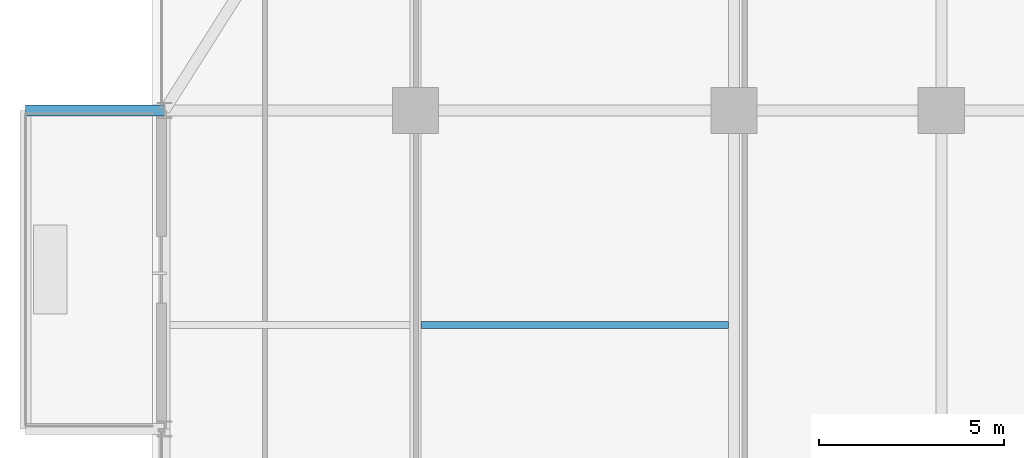
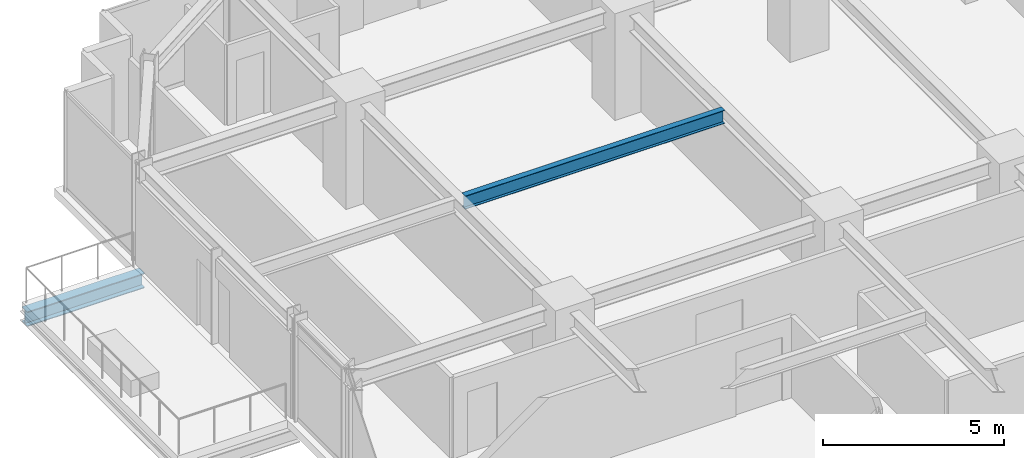
# One storey, part 17 of 35: 2 beams.
"""IFC4 building model written with IfcOpenShell, lengths in metres."""

from ifc_helpers import new_model, si_unit, direction, frame, origin, origin_2d, place, context, subcontext, project, spatial, i_section, extrude, source, transform, mapped, material, material_profile, profile_set, type_object, element, save


model = new_model("IFC4")

# Units and contexts
model_context = context("Model", 3, precision=1e-05, world=origin(), true_north=direction((0.0, 1.0)))
body_context = subcontext(model_context, "Body", "Model", "MODEL_VIEW")
ifc_project = project(units=[si_unit("LENGTHUNIT", "METRE"), si_unit("AREAUNIT", "SQUARE_METRE"), si_unit("VOLUMEUNIT", "CUBIC_METRE"), si_unit("PLANEANGLEUNIT", "RADIAN"), si_unit("MASSUNIT", "GRAM", prefix="KILO")], contexts=[model_context])

# Site, building, storey
site_placement = place(None, origin())
site = spatial("IfcSite", under=ifc_project, at=site_placement, CompositionType="ELEMENT")
building_placement = place(site_placement, origin())
building = spatial("IfcBuilding", under=site, at=building_placement, Name="Nahalor Promenade Grand Hotel", CompositionType="ELEMENT")
storey_placement = place(building_placement, frame((0.0, 0.0, 121.14990234375)))
storey = spatial("IfcBuildingStorey", under=building, at=storey_placement, Name="L30", CompositionType="ELEMENT", Elevation=121.14990234375)

# Beams
ifc_material = material(Name="Steel S355JR", Category="steel")
ifc_material_profile_1 = material_profile(ifc_material, i_section(OverallWidth=0.3, OverallDepth=0.5, WebThickness=0.0145, FlangeThickness=0.028, at=origin_2d()), Name="HEB 500")
ifc_profile_set_1 = profile_set([ifc_material_profile_1], Name="Steel S355JR")
beam_type_1 = type_object("IfcBeamType", Name="Beam-Outrigger-HEB500", PredefinedType="BEAM", material=ifc_profile_set_1)
shared_shape_1 = source(origin(), body_context, "Body", "SweptSolid", [
    extrude(i_section(OverallWidth=0.3, OverallDepth=0.5, WebThickness=0.0145, FlangeThickness=0.028, at=origin_2d()), origin(), (0.0, 0.0, 1.0), 3.75),
])
beam_1_placement = place(storey_placement, frame((-27.530029296875, 17.0, -0.52978515625), z_axis=(1.0, 0.0, 0.0), x_axis=(0.0, 1.0, 0.0)))
element("IfcBeam", 1, at=beam_1_placement, inside=storey, type_object=beam_type_1, Name="BM-L30-BC-02-2", PredefinedType="BEAM", context=body_context, shape_type="MappedRepresentation", body=[
    mapped(shared_shape_1, transform((0.0, 0.0, 0.0), scale=1.0)),
])
ifc_material_profile_2 = material_profile(ifc_material, i_section(OverallWidth=0.19, OverallDepth=0.45, WebThickness=0.0094, FlangeThickness=0.0146, at=origin_2d()), Name="IPE 450")
ifc_profile_set_2 = profile_set([ifc_material_profile_2], Name="Steel S355JR")
beam_type_2 = type_object("IfcBeamType", Name="Beam-Joist-IPE450", PredefinedType="JOIST", material=ifc_profile_set_2)
shared_shape_2 = source(origin(), body_context, "Body", "SweptSolid", [
    extrude(i_section(OverallWidth=0.19, OverallDepth=0.45, WebThickness=0.0094, FlangeThickness=0.0146, at=origin_2d()), origin(), (0.0, 0.0, 1.0), 8.300048828125),
])
beam_2_placement = place(storey_placement, frame((-16.85009765625, 11.199951171875, 3.155029296875), z_axis=(1.0, 0.0, 0.0), x_axis=(0.0, 1.0, 0.0)))
element("IfcBeam", 2, at=beam_2_placement, inside=storey, type_object=beam_type_2, Name="BM-L30-JSW-1-1", PredefinedType="JOIST", context=body_context, shape_type="MappedRepresentation", body=[
    mapped(shared_shape_2, transform((0.0, 0.0, 0.0), scale=1.0)),
])

save(model, "model.ifc")
